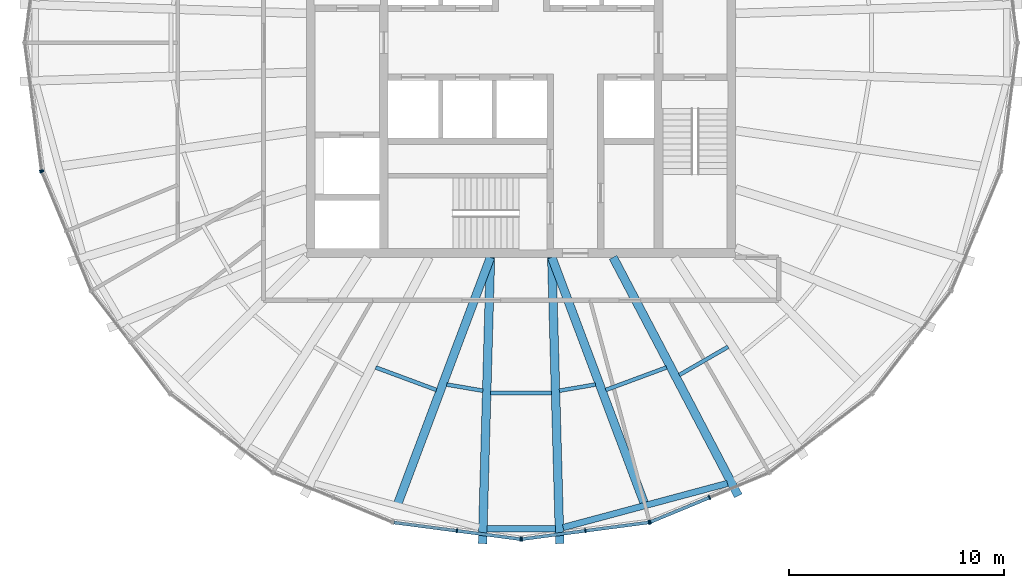
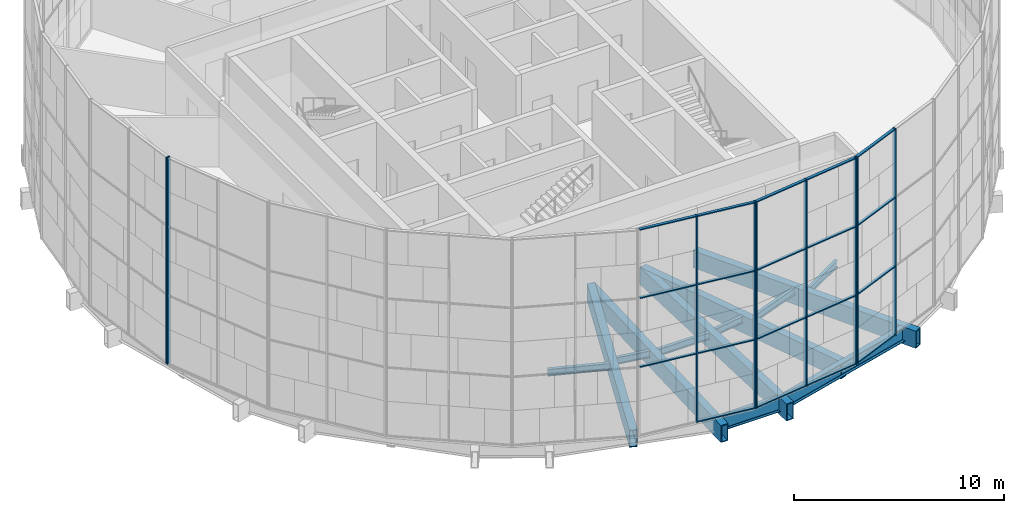
# One storey, part 2 of 23: 28 members, 13 beams, 5 elements without a shape of their own.
"""IFC4 building model written with IfcOpenShell, lengths in metres."""

from ifc_helpers import new_model, si_unit, direction, frame, origin, origin_2d, place, context, subcontext, project, spatial, rectangle, hollow_rectangle, i_section, extrude, material, material_profile, profile_set, type_object, element, aggregate, save


model = new_model("IFC4")

# Units and contexts
model_context = context("Model", 3, precision=1e-05, world=origin(), true_north=direction((0.0, 1.0)))
body_context = subcontext(model_context, "Body", "Model", "MODEL_VIEW")
ifc_project = project(units=[si_unit("LENGTHUNIT", "METRE"), si_unit("AREAUNIT", "SQUARE_METRE"), si_unit("VOLUMEUNIT", "CUBIC_METRE"), si_unit("PLANEANGLEUNIT", "RADIAN"), si_unit("MASSUNIT", "GRAM", prefix="KILO")], contexts=[model_context])

# Site, building, storey
site_placement = place(None, origin())
site = spatial("IfcSite", under=ifc_project, at=site_placement, CompositionType="ELEMENT")
building_placement = place(site_placement, origin())
building = spatial("IfcBuilding", under=site, at=building_placement, Name="Golbaran Civic Tower", CompositionType="ELEMENT")
storey_placement = place(building_placement, frame((0.0, 0.0, 220.0)))
storey = spatial("IfcBuildingStorey", under=building, at=storey_placement, Name="L53", CompositionType="ELEMENT", Elevation=220.0)

# Beams
ifc_material_1 = material(Name="Steel S355", Category="steel")
ifc_material_profile_1 = material_profile(ifc_material_1, i_section(OverallWidth=0.300048828125, OverallDepth=0.800048828125, WebThickness=0.017578125, FlangeThickness=0.032958984375, FilletRadius=0.030029296875, at=origin_2d()), Name="HEB 800")
ifc_profile_set_1 = profile_set([ifc_material_profile_1], Name="Steel S355")
beam_type_1 = type_object("IfcBeamType", Name="EDGE BEAM HEB 800", PredefinedType="BEAM", material=ifc_profile_set_1)
beam_1_placement = place(storey_placement, frame((-1.6005859375, -22.63623046875, -0.60009765625), z_axis=(1.0, 0.0, 0.0), x_axis=(0.0, 1.0, 0.0)))
element("IfcBeam", 1, at=beam_1_placement, inside=storey, type_object=beam_type_1, Name="Edge beam 265.65 L53", PredefinedType="BEAM", context=body_context, shape_type="SweptSolid", body=[
    extrude(i_section(OverallWidth=0.300048828125, OverallDepth=0.800048828125, WebThickness=0.017578125, FlangeThickness=0.032958984375, FilletRadius=0.030029296875, at=origin_2d()), origin(), (0.0, 0.0, 1.0), 3.201171875),
])
beam_2_placement = place(storey_placement, frame((1.95947265625, -22.588134765625, -0.60009765625), z_axis=(0.965837946474, 0.259146794597, 0.0), x_axis=(-0.259146794597, 0.965837946474, 0.0)))
element("IfcBeam", 2, at=beam_2_placement, inside=storey, type_object=beam_type_1, Name="Edge beam 274.35 L53", PredefinedType="BEAM", context=body_context, shape_type="SweptSolid", body=[
    extrude(i_section(OverallWidth=0.300048828125, OverallDepth=0.800048828125, WebThickness=0.017578125, FlangeThickness=0.032958984375, FilletRadius=0.030029296875, at=origin_2d()), origin(), (0.0, 0.0, 1.0), 7.923095703125),
])
ifc_material_profile_2 = material_profile(ifc_material_1, i_section(OverallWidth=0.179931640625, OverallDepth=0.39990234375, WebThickness=0.008544921875, FlangeThickness=0.013427734375, FilletRadius=0.02099609375, at=origin_2d()), Name="IPE 400")
ifc_profile_set_2 = profile_set([ifc_material_profile_2], Name="Steel S355")
beam_type_2 = type_object("IfcBeamType", Name="FLOOR INFILL BEAM IPE 400", PredefinedType="BEAM", material=ifc_profile_set_2)
beam_3_placement = place(storey_placement, frame((-6.775390625, -15.130859375, -0.39990234375), z_axis=(0.937714606375, -0.347406558646, 0.0), x_axis=(0.347406558646, 0.937714606375, 0.0)))
element("IfcBeam", 3, at=beam_3_placement, inside=storey, type_object=beam_type_2, Name="Infill beam 249.67 L53", PredefinedType="BEAM", context=body_context, shape_type="SweptSolid", body=[
    extrude(i_section(OverallWidth=0.179931640625, OverallDepth=0.39990234375, WebThickness=0.008544921875, FlangeThickness=0.013427734375, FilletRadius=0.02099609375, at=origin_2d()), origin(), (0.0, 0.0, 1.0), 3.018310546875),
])
beam_4_placement = place(storey_placement, frame((-3.465576171875, -15.92724609375, -0.39990234375), z_axis=(0.985796509331, -0.167944163907, 0.0), x_axis=(0.167944163907, 0.985796509331, 0.0)))
element("IfcBeam", 4, at=beam_4_placement, inside=storey, type_object=beam_type_2, Name="Infill beam 260.33 L53", PredefinedType="BEAM", context=body_context, shape_type="SweptSolid", body=[
    extrude(i_section(OverallWidth=0.179931640625, OverallDepth=0.39990234375, WebThickness=0.008544921875, FlangeThickness=0.013427734375, FilletRadius=0.02099609375, at=origin_2d()), origin(), (0.0, 0.0, 1.0), 1.7080078125),
])
beam_5_placement = place(storey_placement, frame((-1.424560546875, -16.318115234375, -0.39990234375), z_axis=(1.0, 0.0, 0.0), x_axis=(0.0, 1.0, 0.0)))
element("IfcBeam", 5, at=beam_5_placement, inside=storey, type_object=beam_type_2, Name="Infill beam 270.00 L53", PredefinedType="BEAM", context=body_context, shape_type="SweptSolid", body=[
    extrude(i_section(OverallWidth=0.179931640625, OverallDepth=0.39990234375, WebThickness=0.008544921875, FlangeThickness=0.013427734375, FilletRadius=0.02099609375, at=origin_2d()), origin(), (0.0, 0.0, 1.0), 2.84912109375),
])
beam_6_placement = place(storey_placement, frame((1.78173828125, -16.214111328125, -0.39990234375), z_axis=(0.985796509331, 0.167944163907, 0.0), x_axis=(-0.167944163907, 0.985796509331, 0.0)))
element("IfcBeam", 6, at=beam_6_placement, inside=storey, type_object=beam_type_2, Name="Infill beam 279.67 L53", PredefinedType="BEAM", context=body_context, shape_type="SweptSolid", body=[
    extrude(i_section(OverallWidth=0.179931640625, OverallDepth=0.39990234375, WebThickness=0.008544921875, FlangeThickness=0.013427734375, FilletRadius=0.02099609375, at=origin_2d()), origin(), (0.0, 0.0, 1.0), 1.7080078125),
])
beam_7_placement = place(storey_placement, frame((3.945068359375, -16.179443359375, -0.39990234375), z_axis=(0.937714606375, 0.347406558646, 0.0), x_axis=(-0.347406558646, 0.937714606375, 0.0)))
element("IfcBeam", 7, at=beam_7_placement, inside=storey, type_object=beam_type_2, Name="Infill beam 290.33 L53", PredefinedType="BEAM", context=body_context, shape_type="SweptSolid", body=[
    extrude(i_section(OverallWidth=0.179931640625, OverallDepth=0.39990234375, WebThickness=0.008544921875, FlangeThickness=0.013427734375, FilletRadius=0.02099609375, at=origin_2d()), origin(), (0.0, 0.0, 1.0), 3.018310546875),
])
beam_8_placement = place(storey_placement, frame((7.366943359375, -15.4833984375, -0.39990234375), z_axis=(0.86602945008, 0.499992991546, 0.0), x_axis=(-0.499992991546, 0.86602945008, 0.0)))
element("IfcBeam", 8, at=beam_8_placement, inside=storey, type_object=beam_type_2, Name="Infill beam 300.00 L53", PredefinedType="BEAM", context=body_context, shape_type="SweptSolid", body=[
    extrude(i_section(OverallWidth=0.179931640625, OverallDepth=0.39990234375, WebThickness=0.008544921875, FlangeThickness=0.013427734375, FilletRadius=0.02099609375, at=origin_2d()), origin(), (0.0, 0.0, 1.0), 2.6298828125),
])

# Curtain wall, member
ifc_material_2 = material(Name="Aluminium and glass", Category="aluminium")
curtain_wall_type = type_object("IfcCurtainWallType", Name="INNER SKIN CURTAIN WALL EXECUTIVE", PredefinedType="NOTDEFINED", material=ifc_material_2)
curtain_wall_1_placement = place(storey_placement, origin())
curtain_wall_1 = element("IfcCurtainWall", 9, at=curtain_wall_1_placement, inside=storey, type_object=curtain_wall_type, Name="Inner skin L53 facet 13 CW2", ObjectType="INNER SKIN", PredefinedType="USERDEFINED")
ifc_material_3 = material(Name="Aluminium", Category="aluminium")
ifc_material_profile_3 = material_profile(ifc_material_3, rectangle(XDim=0.199951171875, YDim=0.06005859375, at=origin_2d()), Name="INNER SKIN CURTAIN WALL EXECUTIVE MULLION")
ifc_profile_set_3 = profile_set([ifc_material_profile_3], Name="Aluminium")
member_type_1 = type_object("IfcMemberType", Name="INNER SKIN CURTAIN WALL EXECUTIVE MULLION", PredefinedType="MULLION", material=ifc_profile_set_3)
member_1_placement = place(storey_placement, frame((-22.349609375, -5.957763671875, 0.0), z_axis=(0.0, 0.0, 1.0), x_axis=(0.991444861365, 0.130526192289, 0.0)))
member_1 = element("IfcMember", 10, at=member_1_placement, type_object=member_type_1, Name="CW2 mullion 3", PredefinedType="MULLION", context=body_context, shape_type="SweptSolid", body=[
    extrude(rectangle(XDim=0.199951171875, YDim=0.06005859375, at=origin_2d()), origin(), (0.0, 0.0, 1.0), 12.0),
])
aggregate(curtain_wall_1, [member_1])

curtain_wall_2_placement = place(storey_placement, origin())
curtain_wall_2 = element("IfcCurtainWall", 11, at=curtain_wall_2_placement, inside=storey, type_object=curtain_wall_type, Name="Inner skin L53 facet 14 CW2", ObjectType="INNER SKIN", PredefinedType="USERDEFINED")
member_2_placement = place(storey_placement, frame((-22.334228515625, -6.01513671875, 0.0), z_axis=(0.0, 0.0, 1.0), x_axis=(0.923879532531, 0.382683432317, 0.0)))
member_2 = element("IfcMember", 12, at=member_2_placement, type_object=member_type_1, Name="CW2 mullion 1", PredefinedType="MULLION", context=body_context, shape_type="SweptSolid", body=[
    extrude(rectangle(XDim=0.199951171875, YDim=0.06005859375, at=origin_2d()), origin(), (0.0, 0.0, 1.0), 12.0),
])
aggregate(curtain_wall_2, [member_2])

# Curtain wall, members
curtain_wall_3_placement = place(storey_placement, origin())
curtain_wall_3 = element("IfcCurtainWall", 13, at=curtain_wall_3_placement, inside=storey, type_object=curtain_wall_type, Name="Inner skin L53 facet 18 CW2", ObjectType="INNER SKIN", PredefinedType="USERDEFINED")
member_3_placement = place(storey_placement, frame((-2.99365234375, -22.73974609375, 0.0), z_axis=(0.0, 0.0, 1.0), x_axis=(0.130526192289, 0.991444861365, 0.0)))
member_3 = element("IfcMember", 14, at=member_3_placement, type_object=member_type_1, Name="CW2 mullion 2", PredefinedType="MULLION", context=body_context, shape_type="SweptSolid", body=[
    extrude(rectangle(XDim=0.199951171875, YDim=0.06005859375, at=origin_2d()), origin(), (0.0, 0.0, 1.0), 12.0),
])
member_4_placement = place(storey_placement, frame((-0.02978515625, -23.130126953125, 0.0), z_axis=(0.0, 0.0, 1.0), x_axis=(0.130526192289, 0.991444861365, 0.0)))
member_4 = element("IfcMember", 15, at=member_4_placement, type_object=member_type_1, Name="CW2 mullion 3", PredefinedType="MULLION", context=body_context, shape_type="SweptSolid", body=[
    extrude(rectangle(XDim=0.199951171875, YDim=0.06005859375, at=origin_2d()), origin(), (0.0, 0.0, 1.0), 12.0),
])

curtain_wall_4_placement = place(storey_placement, origin())
curtain_wall_4 = element("IfcCurtainWall", 16, at=curtain_wall_4_placement, inside=storey, type_object=curtain_wall_type, Name="Inner skin L53 facet 19 CW2", ObjectType="INNER SKIN", PredefinedType="USERDEFINED")
member_5_placement = place(storey_placement, frame((0.02978515625, -23.130126953125, 0.0), z_axis=(0.0, 0.0, 1.0), x_axis=(-0.130526192289, 0.991444861365, 0.0)))
member_5 = element("IfcMember", 17, at=member_5_placement, type_object=member_type_1, Name="CW2 mullion 1", PredefinedType="MULLION", context=body_context, shape_type="SweptSolid", body=[
    extrude(rectangle(XDim=0.199951171875, YDim=0.06005859375, at=origin_2d()), origin(), (0.0, 0.0, 1.0), 12.0),
])
member_6_placement = place(storey_placement, frame((2.99365234375, -22.73974609375, 0.0), z_axis=(0.0, 0.0, 1.0), x_axis=(-0.130526192289, 0.991444861365, 0.0)))
member_6 = element("IfcMember", 18, at=member_6_placement, type_object=member_type_1, Name="CW2 mullion 2", PredefinedType="MULLION", context=body_context, shape_type="SweptSolid", body=[
    extrude(rectangle(XDim=0.199951171875, YDim=0.06005859375, at=origin_2d()), origin(), (0.0, 0.0, 1.0), 12.0),
])
member_7_placement = place(storey_placement, frame((5.957763671875, -22.349609375, 0.0), z_axis=(0.0, 0.0, 1.0), x_axis=(-0.130526192289, 0.991444861365, 0.0)))
member_7 = element("IfcMember", 19, at=member_7_placement, type_object=member_type_1, Name="CW2 mullion 3", PredefinedType="MULLION", context=body_context, shape_type="SweptSolid", body=[
    extrude(rectangle(XDim=0.199951171875, YDim=0.06005859375, at=origin_2d()), origin(), (0.0, 0.0, 1.0), 12.0),
])

curtain_wall_5_placement = place(storey_placement, origin())
curtain_wall_5 = element("IfcCurtainWall", 20, at=curtain_wall_5_placement, inside=storey, type_object=curtain_wall_type, Name="Inner skin L53 facet 20 CW2", ObjectType="INNER SKIN", PredefinedType="USERDEFINED")
member_8_placement = place(storey_placement, frame((6.01513671875, -22.334228515625, 0.0), z_axis=(0.0, 0.0, 1.0), x_axis=(-0.382683432317, 0.923879532531, 0.0)))
member_8 = element("IfcMember", 21, at=member_8_placement, type_object=member_type_1, Name="CW2 mullion 1", PredefinedType="MULLION", context=body_context, shape_type="SweptSolid", body=[
    extrude(rectangle(XDim=0.199951171875, YDim=0.06005859375, at=origin_2d()), origin(), (0.0, 0.0, 1.0), 12.0),
])
member_9_placement = place(storey_placement, frame((8.77734375, -21.190185546875, 0.0), z_axis=(0.0, 0.0, 1.0), x_axis=(-0.382683432317, 0.923879532531, 0.0)))
member_9 = element("IfcMember", 22, at=member_9_placement, type_object=member_type_1, Name="CW2 mullion 2", PredefinedType="MULLION", context=body_context, shape_type="SweptSolid", body=[
    extrude(rectangle(XDim=0.199951171875, YDim=0.06005859375, at=origin_2d()), origin(), (0.0, 0.0, 1.0), 12.0),
])

# Member
ifc_material_profile_4 = material_profile(ifc_material_3, rectangle(XDim=0.14990234375, YDim=0.06005859375, at=origin_2d()), Name="INNER SKIN CURTAIN WALL EXECUTIVE TRANSOM")
ifc_profile_set_4 = profile_set([ifc_material_profile_4], Name="Aluminium")
member_type_2 = type_object("IfcMemberType", Name="INNER SKIN CURTAIN WALL EXECUTIVE TRANSOM", PredefinedType="USERDEFINED", material=ifc_profile_set_4)
member_10_placement = place(storey_placement, frame((-5.927978515625, -22.353515625, 4.0), z_axis=(0.991447770386, -0.130504094177, 0.0), x_axis=(0.130504094177, 0.991447770386, 0.0)))
member_10 = element("IfcMember", 23, at=member_10_placement, type_object=member_type_2, Name="CW2 transom 1.2", ObjectType="TRANSOM", PredefinedType="USERDEFINED", context=body_context, shape_type="SweptSolid", body=[
    extrude(rectangle(XDim=0.14990234375, YDim=0.06005859375, at=origin_2d()), origin(), (0.0, 0.0, 1.0), 2.9296875),
])

member_11_placement = place(storey_placement, frame((-5.927978515625, -22.353515625, 8.0), z_axis=(0.991447770386, -0.130504094177, 0.0), x_axis=(0.130504094177, 0.991447770386, 0.0)))
member_11 = element("IfcMember", 24, at=member_11_placement, type_object=member_type_2, Name="CW2 transom 1.3", ObjectType="TRANSOM", PredefinedType="USERDEFINED", context=body_context, shape_type="SweptSolid", body=[
    extrude(rectangle(XDim=0.14990234375, YDim=0.06005859375, at=origin_2d()), origin(), (0.0, 0.0, 1.0), 2.9296875),
])

member_12_placement = place(storey_placement, frame((-5.927978515625, -22.353515625, 11.969970703125), z_axis=(0.991447770386, -0.130504094177, 0.0), x_axis=(0.130504094177, 0.991447770386, 0.0)))
member_12 = element("IfcMember", 25, at=member_12_placement, type_object=member_type_2, Name="CW2 transom 1.4", ObjectType="TRANSOM", PredefinedType="USERDEFINED", context=body_context, shape_type="SweptSolid", body=[
    extrude(rectangle(XDim=0.14990234375, YDim=0.06005859375, at=origin_2d()), origin(), (0.0, 0.0, 1.0), 2.9296875),
])

member_13_placement = place(storey_placement, frame((-2.964111328125, -22.743896484375, 0.030029296875), z_axis=(0.991447770386, -0.130504094177, 0.0), x_axis=(0.130504094177, 0.991447770386, 0.0)))
member_13 = element("IfcMember", 26, at=member_13_placement, type_object=member_type_2, Name="CW2 transom 2.1", ObjectType="TRANSOM", PredefinedType="USERDEFINED", context=body_context, shape_type="SweptSolid", body=[
    extrude(rectangle(XDim=0.14990234375, YDim=0.06005859375, at=origin_2d()), origin(), (0.0, 0.0, 1.0), 2.9296875),
])

member_14_placement = place(storey_placement, frame((-2.964111328125, -22.743896484375, 4.0), z_axis=(0.991447770386, -0.130504094177, 0.0), x_axis=(0.130504094177, 0.991447770386, 0.0)))
member_14 = element("IfcMember", 27, at=member_14_placement, type_object=member_type_2, Name="CW2 transom 2.2", ObjectType="TRANSOM", PredefinedType="USERDEFINED", context=body_context, shape_type="SweptSolid", body=[
    extrude(rectangle(XDim=0.14990234375, YDim=0.06005859375, at=origin_2d()), origin(), (0.0, 0.0, 1.0), 2.9296875),
])

member_15_placement = place(storey_placement, frame((-2.964111328125, -22.743896484375, 8.0), z_axis=(0.991447770386, -0.130504094177, 0.0), x_axis=(0.130504094177, 0.991447770386, 0.0)))
member_15 = element("IfcMember", 28, at=member_15_placement, type_object=member_type_2, Name="CW2 transom 2.3", ObjectType="TRANSOM", PredefinedType="USERDEFINED", context=body_context, shape_type="SweptSolid", body=[
    extrude(rectangle(XDim=0.14990234375, YDim=0.06005859375, at=origin_2d()), origin(), (0.0, 0.0, 1.0), 2.9296875),
])

member_16_placement = place(storey_placement, frame((-2.964111328125, -22.743896484375, 11.969970703125), z_axis=(0.991447770386, -0.130504094177, 0.0), x_axis=(0.130504094177, 0.991447770386, 0.0)))
member_16 = element("IfcMember", 29, at=member_16_placement, type_object=member_type_2, Name="CW2 transom 2.4", ObjectType="TRANSOM", PredefinedType="USERDEFINED", context=body_context, shape_type="SweptSolid", body=[
    extrude(rectangle(XDim=0.14990234375, YDim=0.06005859375, at=origin_2d()), origin(), (0.0, 0.0, 1.0), 2.9296875),
])

aggregate(curtain_wall_3, [member_3, member_4, member_10, member_11, member_12, member_13, member_14, member_15, member_16])

member_17_placement = place(storey_placement, frame((0.0595703125, -23.126220703125, 0.030029296875), z_axis=(0.991447770386, 0.130504094177, 0.0), x_axis=(-0.130504094177, 0.991447770386, 0.0)))
member_17 = element("IfcMember", 30, at=member_17_placement, type_object=member_type_2, Name="CW2 transom 1.1", ObjectType="TRANSOM", PredefinedType="USERDEFINED", context=body_context, shape_type="SweptSolid", body=[
    extrude(rectangle(XDim=0.14990234375, YDim=0.06005859375, at=origin_2d()), origin(), (0.0, 0.0, 1.0), 2.9296875),
])

member_18_placement = place(storey_placement, frame((0.0595703125, -23.126220703125, 4.0), z_axis=(0.991447770386, 0.130504094177, 0.0), x_axis=(-0.130504094177, 0.991447770386, 0.0)))
member_18 = element("IfcMember", 31, at=member_18_placement, type_object=member_type_2, Name="CW2 transom 1.2", ObjectType="TRANSOM", PredefinedType="USERDEFINED", context=body_context, shape_type="SweptSolid", body=[
    extrude(rectangle(XDim=0.14990234375, YDim=0.06005859375, at=origin_2d()), origin(), (0.0, 0.0, 1.0), 2.9296875),
])

member_19_placement = place(storey_placement, frame((0.0595703125, -23.126220703125, 8.0), z_axis=(0.991447770386, 0.130504094177, 0.0), x_axis=(-0.130504094177, 0.991447770386, 0.0)))
member_19 = element("IfcMember", 32, at=member_19_placement, type_object=member_type_2, Name="CW2 transom 1.3", ObjectType="TRANSOM", PredefinedType="USERDEFINED", context=body_context, shape_type="SweptSolid", body=[
    extrude(rectangle(XDim=0.14990234375, YDim=0.06005859375, at=origin_2d()), origin(), (0.0, 0.0, 1.0), 2.9296875),
])

member_20_placement = place(storey_placement, frame((0.0595703125, -23.126220703125, 11.969970703125), z_axis=(0.991447770386, 0.130504094177, 0.0), x_axis=(-0.130504094177, 0.991447770386, 0.0)))
member_20 = element("IfcMember", 33, at=member_20_placement, type_object=member_type_2, Name="CW2 transom 1.4", ObjectType="TRANSOM", PredefinedType="USERDEFINED", context=body_context, shape_type="SweptSolid", body=[
    extrude(rectangle(XDim=0.14990234375, YDim=0.06005859375, at=origin_2d()), origin(), (0.0, 0.0, 1.0), 2.9296875),
])

member_21_placement = place(storey_placement, frame((3.0234375, -22.73583984375, 0.030029296875), z_axis=(0.991447770386, 0.130504094177, 0.0), x_axis=(-0.130504094177, 0.991447770386, 0.0)))
member_21 = element("IfcMember", 34, at=member_21_placement, type_object=member_type_2, Name="CW2 transom 2.1", ObjectType="TRANSOM", PredefinedType="USERDEFINED", context=body_context, shape_type="SweptSolid", body=[
    extrude(rectangle(XDim=0.14990234375, YDim=0.06005859375, at=origin_2d()), origin(), (0.0, 0.0, 1.0), 2.9296875),
])

member_22_placement = place(storey_placement, frame((3.0234375, -22.73583984375, 4.0), z_axis=(0.991447770386, 0.130504094177, 0.0), x_axis=(-0.130504094177, 0.991447770386, 0.0)))
member_22 = element("IfcMember", 35, at=member_22_placement, type_object=member_type_2, Name="CW2 transom 2.2", ObjectType="TRANSOM", PredefinedType="USERDEFINED", context=body_context, shape_type="SweptSolid", body=[
    extrude(rectangle(XDim=0.14990234375, YDim=0.06005859375, at=origin_2d()), origin(), (0.0, 0.0, 1.0), 2.9296875),
])

member_23_placement = place(storey_placement, frame((3.0234375, -22.73583984375, 8.0), z_axis=(0.991447770386, 0.130504094177, 0.0), x_axis=(-0.130504094177, 0.991447770386, 0.0)))
member_23 = element("IfcMember", 36, at=member_23_placement, type_object=member_type_2, Name="CW2 transom 2.3", ObjectType="TRANSOM", PredefinedType="USERDEFINED", context=body_context, shape_type="SweptSolid", body=[
    extrude(rectangle(XDim=0.14990234375, YDim=0.06005859375, at=origin_2d()), origin(), (0.0, 0.0, 1.0), 2.9296875),
])

member_24_placement = place(storey_placement, frame((3.0234375, -22.73583984375, 11.969970703125), z_axis=(0.991447770386, 0.130504094177, 0.0), x_axis=(-0.130504094177, 0.991447770386, 0.0)))
member_24 = element("IfcMember", 37, at=member_24_placement, type_object=member_type_2, Name="CW2 transom 2.4", ObjectType="TRANSOM", PredefinedType="USERDEFINED", context=body_context, shape_type="SweptSolid", body=[
    extrude(rectangle(XDim=0.14990234375, YDim=0.06005859375, at=origin_2d()), origin(), (0.0, 0.0, 1.0), 2.9296875),
])

aggregate(curtain_wall_4, [member_5, member_6, member_7, member_17, member_18, member_19, member_20, member_21, member_22, member_23, member_24])

member_25_placement = place(storey_placement, frame((6.04296875, -22.32275390625, 0.030029296875), z_axis=(0.923878694324, 0.382685455921, 0.0), x_axis=(-0.382685455921, 0.923878694324, 0.0)))
member_25 = element("IfcMember", 38, at=member_25_placement, type_object=member_type_2, Name="CW2 transom 1.1", ObjectType="TRANSOM", PredefinedType="USERDEFINED", context=body_context, shape_type="SweptSolid", body=[
    extrude(rectangle(XDim=0.14990234375, YDim=0.06005859375, at=origin_2d()), origin(), (0.0, 0.0, 1.0), 2.929443359375),
])

member_26_placement = place(storey_placement, frame((6.04296875, -22.32275390625, 4.0), z_axis=(0.923878694324, 0.382685455921, 0.0), x_axis=(-0.382685455921, 0.923878694324, 0.0)))
member_26 = element("IfcMember", 39, at=member_26_placement, type_object=member_type_2, Name="CW2 transom 1.2", ObjectType="TRANSOM", PredefinedType="USERDEFINED", context=body_context, shape_type="SweptSolid", body=[
    extrude(rectangle(XDim=0.14990234375, YDim=0.06005859375, at=origin_2d()), origin(), (0.0, 0.0, 1.0), 2.929443359375),
])

member_27_placement = place(storey_placement, frame((6.04296875, -22.32275390625, 8.0), z_axis=(0.923878694324, 0.382685455921, 0.0), x_axis=(-0.382685455921, 0.923878694324, 0.0)))
member_27 = element("IfcMember", 40, at=member_27_placement, type_object=member_type_2, Name="CW2 transom 1.3", ObjectType="TRANSOM", PredefinedType="USERDEFINED", context=body_context, shape_type="SweptSolid", body=[
    extrude(rectangle(XDim=0.14990234375, YDim=0.06005859375, at=origin_2d()), origin(), (0.0, 0.0, 1.0), 2.929443359375),
])

member_28_placement = place(storey_placement, frame((6.04296875, -22.32275390625, 11.969970703125), z_axis=(0.923878694324, 0.382685455921, 0.0), x_axis=(-0.382685455921, 0.923878694324, 0.0)))
member_28 = element("IfcMember", 41, at=member_28_placement, type_object=member_type_2, Name="CW2 transom 1.4", ObjectType="TRANSOM", PredefinedType="USERDEFINED", context=body_context, shape_type="SweptSolid", body=[
    extrude(rectangle(XDim=0.14990234375, YDim=0.06005859375, at=origin_2d()), origin(), (0.0, 0.0, 1.0), 2.929443359375),
])

aggregate(curtain_wall_5, [member_8, member_9, member_25, member_26, member_27, member_28])

# Beams
ifc_material_profile_5 = material_profile(ifc_material_1, hollow_rectangle(XDim=0.39990234375, YDim=1.0, WallThickness=0.050048828125, at=origin_2d()), Name="BOX 1000x400x50")
ifc_profile_set_5 = profile_set([ifc_material_profile_5], Name="Steel S355")
beam_type_3 = type_object("IfcBeamType", Name="RADIAL FLOOR BEAM BOX 1000x400x50", PredefinedType="BEAM", material=ifc_profile_set_5)
for number, where, z_axis, x_axis, name in (
    (42, (-1.428466796875, -10.0, -0.7099609375), (-0.027858965148, -0.999611863706, 0.0), (0.999611863706, -0.027858965148, 0.0), "Radial beam 265.65 L53"),
    (43, (1.428466796875, -10.0, -0.7099609375), (0.027858965148, -0.999611863706, 0.0), (0.999611863706, 0.027858965148, 0.0), "Radial beam 274.35 L53"),
):
    element("IfcBeam", number, at=place(storey_placement, frame(where, z_axis=z_axis, x_axis=x_axis)), inside=storey, type_object=beam_type_3, Name=name, PredefinedType="BEAM", context=body_context, shape_type="SweptSolid", body=[
        extrude(hollow_rectangle(XDim=0.39990234375, YDim=1.0, WallThickness=0.050048828125, at=origin_2d()), origin(), (0.0, 0.0, 1.0), 13.3466796875),
    ])
beam_9_placement = place(storey_placement, frame((4.28564453125, -10.0, -0.7099609375), z_axis=(0.464743920616, -0.885445135653, 0.0), x_axis=(0.885445135653, 0.464743920616, 0.0)))
element("IfcBeam", 44, at=beam_9_placement, inside=storey, type_object=beam_type_3, Name="Radial beam 295.65 L53", PredefinedType="BEAM", context=body_context, shape_type="SweptSolid", body=[
    extrude(hollow_rectangle(XDim=0.39990234375, YDim=1.0, WallThickness=0.050048828125, at=origin_2d()), origin(), (0.0, 0.0, 1.0), 12.550048828125),
])
ifc_material_profile_6 = material_profile(ifc_material_1, hollow_rectangle(XDim=0.39990234375, YDim=1.0, WallThickness=0.0400390625, at=origin_2d()), Name="BOX 1000x400x40")
ifc_profile_set_6 = profile_set([ifc_material_profile_6], Name="Steel S355")
beam_type_4 = type_object("IfcBeamType", Name="SECONDARY FLOOR BEAM BOX 1000x400x40", PredefinedType="BEAM", material=ifc_profile_set_6)
for number, where, z_axis, x_axis, name in (
    (45, (-1.428466796875, -10.0, -0.7099609375), (-0.35206096287, -0.935977071527, 0.0), (0.935977071527, -0.35206096287, 0.0), "Secondary beam 255.00 L53"),
    (46, (1.428466796875, -10.0, -0.7099609375), (0.35206096287, -0.935977071527, 0.0), (0.935977071527, 0.35206096287, 0.0), "Secondary beam 285.00 L53"),
):
    element("IfcBeam", number, at=place(storey_placement, frame(where, z_axis=z_axis, x_axis=x_axis)), inside=storey, type_object=beam_type_4, Name=name, PredefinedType="BEAM", context=body_context, shape_type="SweptSolid", body=[
        extrude(hollow_rectangle(XDim=0.39990234375, YDim=1.0, WallThickness=0.0400390625, at=origin_2d()), origin(), (0.0, 0.0, 1.0), 12.354736328125),
    ])

save(model, "model.ifc")
